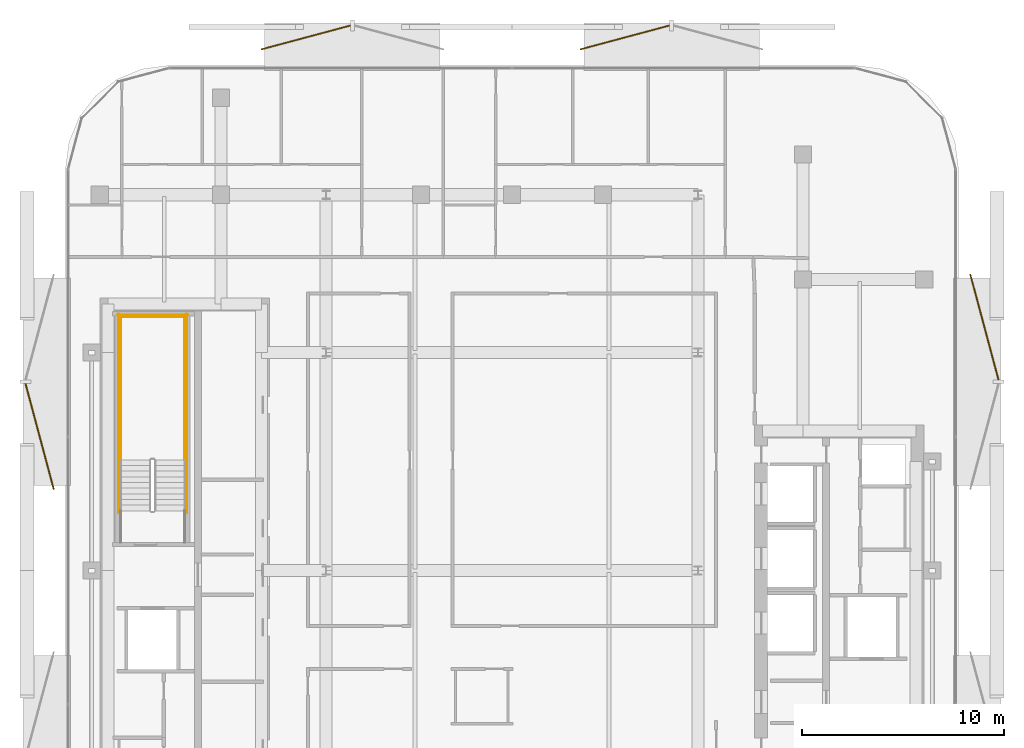
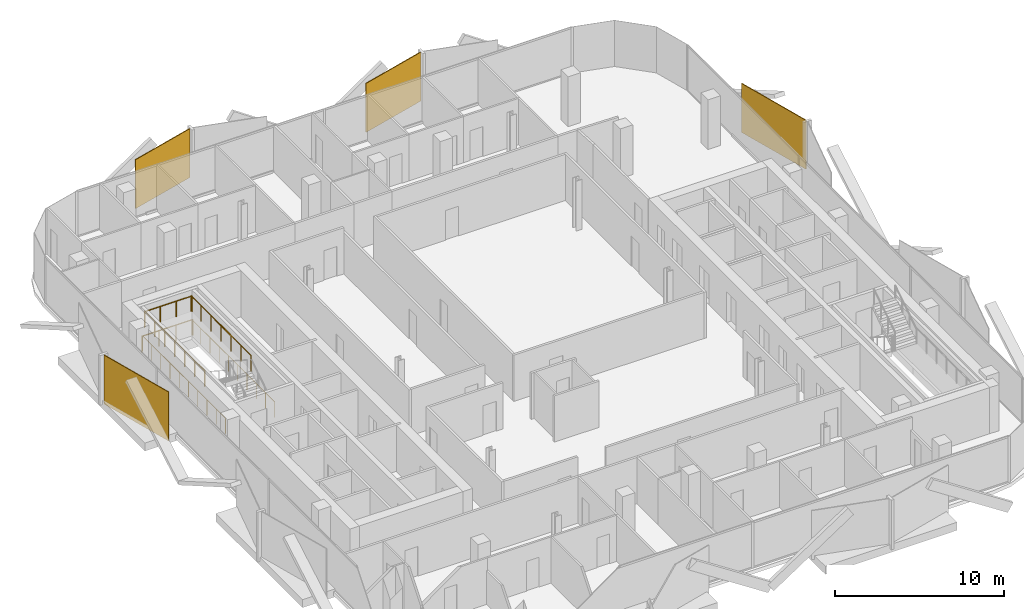
# One storey, part 14 of 14: 6 railings, 4 coverings.
"""IFC4 building model written with IfcOpenShell, lengths in metres."""

from ifc_helpers import new_model, si_unit, direction, frame, origin, origin_2d, place, context, subcontext, project, spatial, rectangle, circle, extrude, material, layer, layer_set, type_object, element, save


model = new_model("IFC4")

# Units and contexts
model_context = context("Model", 3, precision=1e-05, world=origin(), true_north=direction((0.0, 1.0)))
body_context = subcontext(model_context, "Body", "Model", "MODEL_VIEW")
ifc_project = project(units=[si_unit("LENGTHUNIT", "METRE"), si_unit("AREAUNIT", "SQUARE_METRE"), si_unit("VOLUMEUNIT", "CUBIC_METRE"), si_unit("PLANEANGLEUNIT", "RADIAN"), si_unit("MASSUNIT", "GRAM", prefix="KILO")], contexts=[model_context])

# Site, building, storey
site_placement = place(None, origin())
site = spatial("IfcSite", under=ifc_project, at=site_placement, CompositionType="ELEMENT")
building_placement = place(site_placement, origin())
building = spatial("IfcBuilding", under=site, at=building_placement, Name="Khairoan Windgate Tower", CompositionType="ELEMENT")
storey_placement = place(building_placement, frame((0.0, 0.0, 233.199951171875)))
storey = spatial("IfcBuildingStorey", under=building, at=storey_placement, Name="L54", CompositionType="ELEMENT", Elevation=233.199951171875)

# Coverings
ifc_material_1 = material(Name="Anodised Bronze Aluminium 6063-T6", Category="aluminium")
ifc_layer = layer(ifc_material_1, 0.054931640625, Name="Anodised Bronze Aluminium 6063-T6")
ifc_layer_set = layer_set([ifc_layer], Name="Anodised Bronze Aluminium 6063-T6")
covering_type = type_object("IfcCoveringType", Name="Perforated Bronze-Ceramic Folded Solar Screen Cladding BSC-1", PredefinedType="CLADDING", material=ifc_layer_set)
covering_1_placement = place(storey_placement, frame((-23.378662109375, 6.6376953125, -0.099853515625), z_axis=(0.0, 0.0, 1.0), x_axis=(-0.258819045103, 0.965925826289, 0.0)))
element("IfcCovering", 1, at=covering_1_placement, inside=storey, type_object=covering_type, Name="L54 Folded Bronze Solar Screen Facet 364L", PredefinedType="CLADDING", context=body_context, shape_type="SweptSolid", body=[
    extrude(rectangle(XDim=5.419921875, YDim=0.054931640625, at=origin_2d()), origin(), (0.0, 0.0, 1.0), 3.5400390625),
])
for number, where, z_axis, x_axis, name in (
    (2, (-10.197021484375, 26.387451171875, -0.099853515625), (0.0, 0.0, 1.0), (0.965925826289, 0.258819045103, 0.0), "L54 Folded Bronze Solar Screen Facet 365L"),
    (3, (5.593994140625, 26.387451171875, -0.099853515625), (0.0, 0.0, 1.0), (0.965925826289, 0.258819045103, 0.0), "L54 Folded Bronze Solar Screen Facet 366L"),
):
    element("IfcCovering", number, at=place(storey_placement, frame(where, z_axis=z_axis, x_axis=x_axis)), inside=storey, type_object=covering_type, Name=name, PredefinedType="CLADDING", context=body_context, shape_type="SweptSolid", body=[
        extrude(rectangle(XDim=4.5791015625, YDim=0.054931640625, at=origin_2d()), origin(), (0.0, 0.0, 1.0), 3.5400390625),
    ])
covering_2_placement = place(storey_placement, frame((23.378662109375, 12.052978515625, -0.099853515625), z_axis=(0.0, 0.0, 1.0), x_axis=(0.258819045103, -0.965925826289, 0.0)))
element("IfcCovering", 4, at=covering_2_placement, inside=storey, type_object=covering_type, Name="L54 Folded Bronze Solar Screen Facet 367L", PredefinedType="CLADDING", context=body_context, shape_type="SweptSolid", body=[
    extrude(rectangle(XDim=5.419921875, YDim=0.054931640625, at=origin_2d()), origin(), (0.0, 0.0, 1.0), 3.5400390625),
])

# Railings
ifc_material_2 = material(Name="Steel S355", Category="steel")
railing_type = type_object("IfcRailingType", Name="Stairwell Safety Guardrail SGR-1150", PredefinedType="GUARDRAIL", material=ifc_material_2)
for number, where, name in (
    (5, (-16.199951171875, 5.47998046875, 1.800048828125), "L54 ST2 stair guard 3"),
    (6, (-19.3701171875, 5.47998046875, 1.800048828125), "L54 ST2 stair guard 4"),
):
    element("IfcRailing", number, at=place(storey_placement, frame(where)), inside=storey, type_object=railing_type, Name=name, PredefinedType="GUARDRAIL", context=body_context, shape_type="SweptSolid", body=[
        extrude(circle(Radius=0.02392578125, at=origin_2d()), frame((0.0, 0.0, 1.1259765625), z_axis=(0.0, 1.0, 0.0), x_axis=(-1.0, 0.0, 0.0)), (0.0, 0.0, 1.0), 7.1201171875),
        extrude(circle(Radius=0.02099609375, at=origin_2d()), origin(), (0.0, 0.0, 1.0), 1.101806640625),
        extrude(circle(Radius=0.02099609375, at=origin_2d()), frame((0.0, 1.186767578125, 0.0)), (0.0, 0.0, 1.0), 1.101806640625),
        extrude(circle(Radius=0.02099609375, at=origin_2d()), frame((0.0, 2.373291015625, 0.0)), (0.0, 0.0, 1.0), 1.101806640625),
        extrude(circle(Radius=0.02099609375, at=origin_2d()), frame((0.0, 3.56005859375, 0.0)), (0.0, 0.0, 1.0), 1.101806640625),
        extrude(circle(Radius=0.02099609375, at=origin_2d()), frame((0.0, 4.746826171875, 0.0)), (0.0, 0.0, 1.0), 1.101806640625),
        extrude(circle(Radius=0.02099609375, at=origin_2d()), frame((0.0, 5.933349609375, 0.0)), (0.0, 0.0, 1.0), 1.101806640625),
        extrude(circle(Radius=0.02099609375, at=origin_2d()), frame((0.0, 7.1201171875, 0.0)), (0.0, 0.0, 1.0), 1.101806640625),
    ])
railing_1_placement = place(storey_placement, frame((-16.14990234375, 12.550048828125, 1.800048828125)))
element("IfcRailing", 7, at=railing_1_placement, inside=storey, type_object=railing_type, Name="L54 ST2 stair guard 5", PredefinedType="GUARDRAIL", context=body_context, shape_type="SweptSolid", body=[
    extrude(circle(Radius=0.02392578125, at=origin_2d()), frame((0.0, 0.0, 1.1259765625), z_axis=(-1.0, 0.0, 0.0), x_axis=(0.0, -1.0, 0.0)), (0.0, 0.0, 1.0), 3.27001953125),
    extrude(circle(Radius=0.02099609375, at=origin_2d()), origin(), (0.0, 0.0, 1.0), 1.101806640625),
    extrude(circle(Radius=0.02099609375, at=origin_2d()), frame((-1.090087890625, 0.0, 0.0)), (0.0, 0.0, 1.0), 1.101806640625),
    extrude(circle(Radius=0.02099609375, at=origin_2d()), frame((-2.179931640625, 0.0, 0.0)), (0.0, 0.0, 1.0), 1.101806640625),
    extrude(circle(Radius=0.02099609375, at=origin_2d()), frame((-3.27001953125, 0.0, 0.0)), (0.0, 0.0, 1.0), 1.101806640625),
])
for number, where, name in (
    (8, (-16.10009765625, 2.860107421875, 0.0), "L54 ST2 stair guard 10"),
    (9, (-19.469970703125, 2.860107421875, 0.0), "L54 ST2 stair guard 11"),
):
    element("IfcRailing", number, at=place(storey_placement, frame(where)), inside=storey, type_object=railing_type, Name=name, PredefinedType="GUARDRAIL", context=body_context, shape_type="SweptSolid", body=[
        extrude(circle(Radius=0.02392578125, at=origin_2d()), frame((0.0, 0.0, 1.1259765625), z_axis=(0.0, 1.0, 0.0), x_axis=(-1.0, 0.0, 0.0)), (0.0, 0.0, 1.0), 9.83984375),
        extrude(circle(Radius=0.02099609375, at=origin_2d()), origin(), (0.0, 0.0, 1.0), 1.101806640625),
        extrude(circle(Radius=0.02099609375, at=origin_2d()), frame((0.0, 1.09326171875, 0.0)), (0.0, 0.0, 1.0), 1.101806640625),
        extrude(circle(Radius=0.02099609375, at=origin_2d()), frame((0.0, 2.1865234375, 0.0)), (0.0, 0.0, 1.0), 1.101806640625),
        extrude(circle(Radius=0.02099609375, at=origin_2d()), frame((0.0, 3.280029296875, 0.0)), (0.0, 0.0, 1.0), 1.101806640625),
        extrude(circle(Radius=0.02099609375, at=origin_2d()), frame((0.0, 4.373291015625, 0.0)), (0.0, 0.0, 1.0), 1.101806640625),
        extrude(circle(Radius=0.02099609375, at=origin_2d()), frame((0.0, 5.466552734375, 0.0)), (0.0, 0.0, 1.0), 1.101806640625),
        extrude(circle(Radius=0.02099609375, at=origin_2d()), frame((0.0, 6.559814453125, 0.0)), (0.0, 0.0, 1.0), 1.101806640625),
        extrude(circle(Radius=0.02099609375, at=origin_2d()), frame((0.0, 7.6533203125, 0.0)), (0.0, 0.0, 1.0), 1.101806640625),
        extrude(circle(Radius=0.02099609375, at=origin_2d()), frame((0.0, 8.74658203125, 0.0)), (0.0, 0.0, 1.0), 1.101806640625),
        extrude(circle(Radius=0.02099609375, at=origin_2d()), frame((0.0, 9.83984375, 0.0)), (0.0, 0.0, 1.0), 1.101806640625),
    ])
railing_2_placement = place(storey_placement, frame((-16.050048828125, 12.64990234375, 0.0)))
element("IfcRailing", 10, at=railing_2_placement, inside=storey, type_object=railing_type, Name="L54 ST2 stair guard 12", PredefinedType="GUARDRAIL", context=body_context, shape_type="SweptSolid", body=[
    extrude(circle(Radius=0.02392578125, at=origin_2d()), frame((0.0, 0.0, 1.1259765625), z_axis=(-1.0, 0.0, 0.0), x_axis=(0.0, -1.0, 0.0)), (0.0, 0.0, 1.0), 3.469970703125),
    extrude(circle(Radius=0.02099609375, at=origin_2d()), origin(), (0.0, 0.0, 1.0), 1.101806640625),
    extrude(circle(Radius=0.02099609375, at=origin_2d()), frame((-1.15673828125, 0.0, 0.0)), (0.0, 0.0, 1.0), 1.101806640625),
    extrude(circle(Radius=0.02099609375, at=origin_2d()), frame((-2.313232421875, 0.0, 0.0)), (0.0, 0.0, 1.0), 1.101806640625),
    extrude(circle(Radius=0.02099609375, at=origin_2d()), frame((-3.469970703125, 0.0, 0.0)), (0.0, 0.0, 1.0), 1.101806640625),
])

save(model, "model.ifc")
